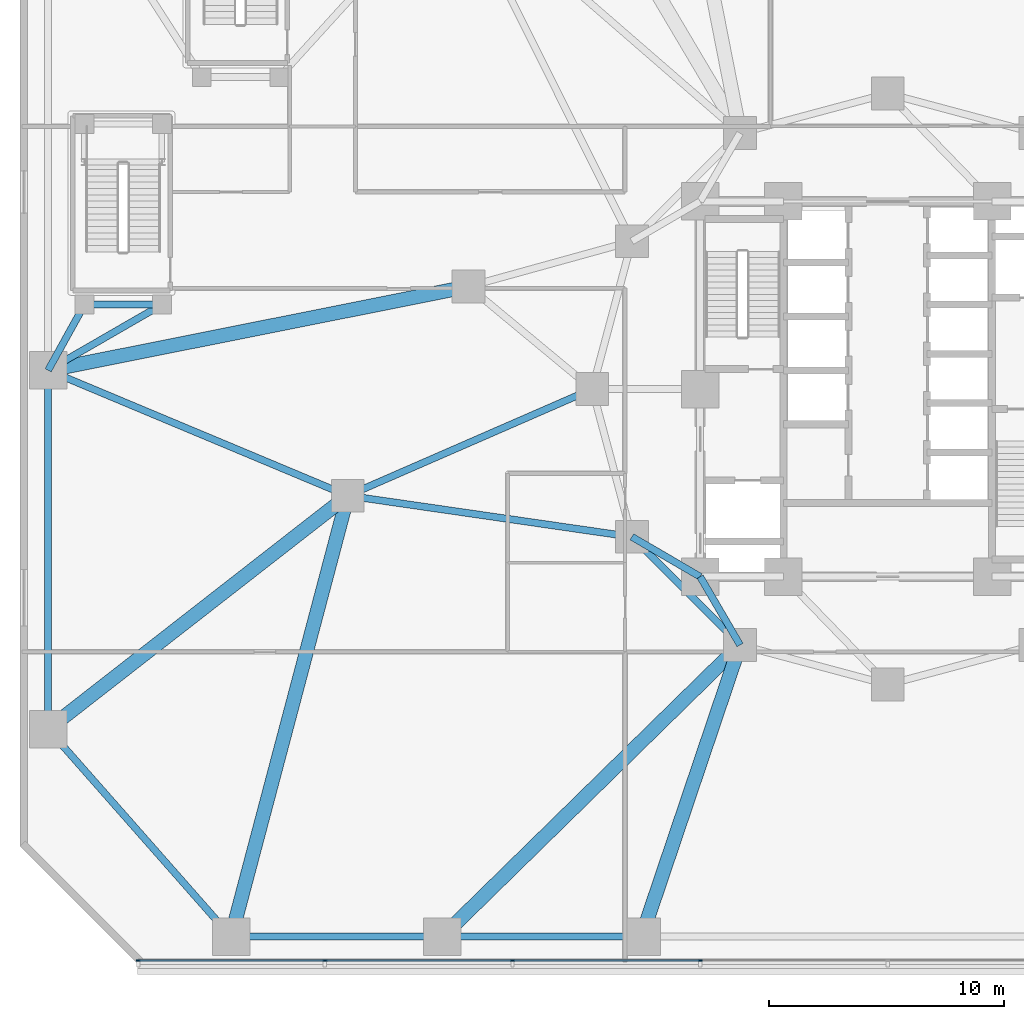
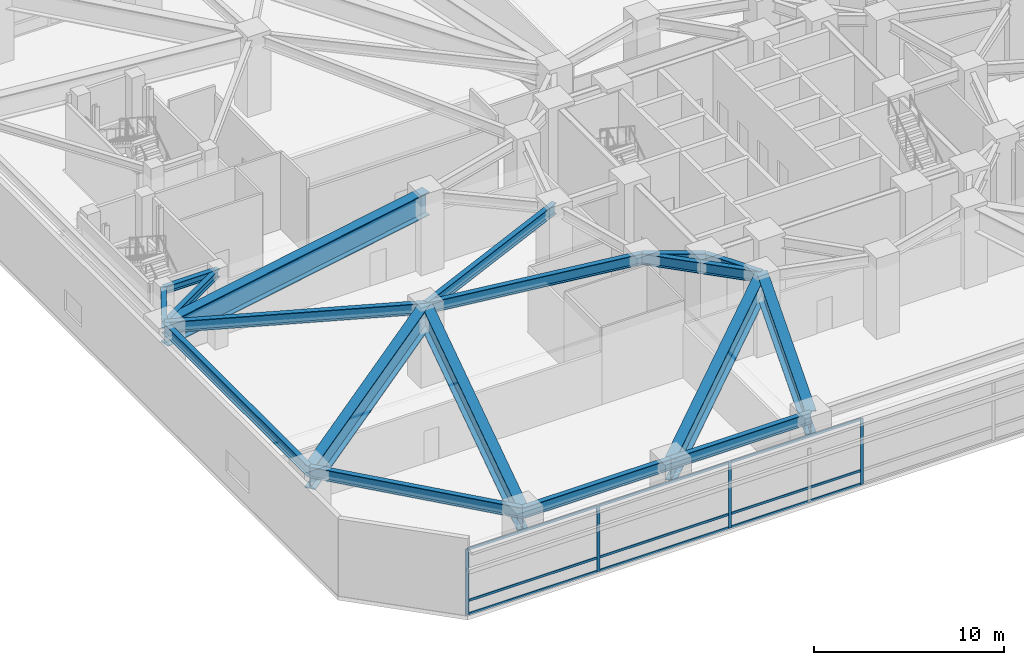
# One storey, part 5 of 27: 18 beams, 13 members, 1 element without a shape of its own.
"""IFC4 building model written with IfcOpenShell, lengths in metres."""

from ifc_helpers import new_model, si_unit, direction, frame, origin, origin_2d, place, context, subcontext, project, spatial, rectangle, i_section, extrude, material, layer, layer_set, material_profile, profile_set, type_object, element, aggregate, save


model = new_model("IFC4")

# Units and contexts
model_context = context("Model", 3, precision=1e-05, world=origin(), true_north=direction((0.0, 1.0)))
body_context = subcontext(model_context, "Body", "Model", "MODEL_VIEW")
ifc_project = project(units=[si_unit("LENGTHUNIT", "METRE"), si_unit("AREAUNIT", "SQUARE_METRE"), si_unit("VOLUMEUNIT", "CUBIC_METRE"), si_unit("PLANEANGLEUNIT", "RADIAN"), si_unit("MASSUNIT", "GRAM", prefix="KILO")], contexts=[model_context])

# Site, building, storey
site_placement = place(None, origin())
site = spatial("IfcSite", under=ifc_project, at=site_placement, CompositionType="ELEMENT")
building_placement = place(site_placement, origin())
building = spatial("IfcBuilding", under=site, at=building_placement, Name="Terralouvre Media Tower", CompositionType="ELEMENT")
storey_placement = place(building_placement, frame((0.0, 0.0, 5.199951171875)))
storey = spatial("IfcBuildingStorey", under=building, at=storey_placement, Name="L01", CompositionType="ELEMENT", Elevation=5.199951171875)

# Curtain wall, members
ifc_material_1 = material(Name="Low-iron laminated double glazing with solar-control coating", Category="glass")
ifc_layer = layer(ifc_material_1, 0.1650390625, Name="Podium Broadcast Gallery Glazing CW-01")
ifc_layer_set = layer_set([ifc_layer], Name="Low-iron laminated double glazing with solar-control coating")
curtain_wall_type = type_object("IfcCurtainWallType", Name="Podium Broadcast Gallery Glazing CW-01", PredefinedType="NOTDEFINED", material=ifc_layer_set)
curtain_wall_placement = place(storey_placement, origin())
curtain_wall = element("IfcCurtainWall", 1, at=curtain_wall_placement, inside=storey, type_object=curtain_wall_type, Name="L01 Podium Curtain Wall F0", PredefinedType="NOTDEFINED")
ifc_material_2 = material(Name="Anodised extruded aluminium 6063-T6", Category="aluminium")
ifc_material_profile_1 = material_profile(ifc_material_2, rectangle(XDim=0.074951171875, YDim=0.14990234375, at=origin_2d()), Name="ALU 75x150")
ifc_profile_set_1 = profile_set([ifc_material_profile_1], Name="Anodised extruded aluminium 6063-T6")
member_type_1 = type_object("IfcMemberType", Name="Curtain-Wall Horizontal Transom TR-150", PredefinedType="USERDEFINED", material=ifc_profile_set_1)
member_1_placement = place(storey_placement, frame((-31.925048828125, -24.360107421875, 0.03759765625), z_axis=(1.0, 0.0, 0.0), x_axis=(0.0, 1.0, 0.0)))
member_1 = element("IfcMember", 2, at=member_1_placement, type_object=member_type_1, Name="CW-01 transom 1.1", ObjectType="TRANSOM", PredefinedType="USERDEFINED", context=body_context, shape_type="SweptSolid", body=[
    extrude(rectangle(XDim=0.074951171875, YDim=0.14990234375, at=origin_2d()), origin(), (0.0, 0.0, 1.0), 7.887451171875),
])
member_2_placement = place(storey_placement, frame((-31.925048828125, -24.360107421875, 0.900146484375), z_axis=(1.0, 0.0, 0.0), x_axis=(0.0, 1.0, 0.0)))
member_2 = element("IfcMember", 3, at=member_2_placement, type_object=member_type_1, Name="CW-01 transom 1.2", ObjectType="TRANSOM", PredefinedType="USERDEFINED", context=body_context, shape_type="SweptSolid", body=[
    extrude(rectangle(XDim=0.074951171875, YDim=0.14990234375, at=origin_2d()), origin(), (0.0, 0.0, 1.0), 7.887451171875),
])
member_3_placement = place(storey_placement, frame((-31.925048828125, -24.360107421875, 4.192626953125), z_axis=(1.0, 0.0, 0.0), x_axis=(0.0, 1.0, 0.0)))
member_3 = element("IfcMember", 4, at=member_3_placement, type_object=member_type_1, Name="CW-01 transom 1.3", ObjectType="TRANSOM", PredefinedType="USERDEFINED", context=body_context, shape_type="SweptSolid", body=[
    extrude(rectangle(XDim=0.074951171875, YDim=0.14990234375, at=origin_2d()), origin(), (0.0, 0.0, 1.0), 7.887451171875),
])
member_4_placement = place(storey_placement, frame((-23.96240234375, -24.360107421875, 0.03759765625), z_axis=(1.0, 0.0, 0.0), x_axis=(0.0, 1.0, 0.0)))
member_4 = element("IfcMember", 5, at=member_4_placement, type_object=member_type_1, Name="CW-01 transom 2.1", ObjectType="TRANSOM", PredefinedType="USERDEFINED", context=body_context, shape_type="SweptSolid", body=[
    extrude(rectangle(XDim=0.074951171875, YDim=0.14990234375, at=origin_2d()), origin(), (0.0, 0.0, 1.0), 7.9248046875),
])
member_5_placement = place(storey_placement, frame((-23.96240234375, -24.360107421875, 0.900146484375), z_axis=(1.0, 0.0, 0.0), x_axis=(0.0, 1.0, 0.0)))
member_5 = element("IfcMember", 6, at=member_5_placement, type_object=member_type_1, Name="CW-01 transom 2.2", ObjectType="TRANSOM", PredefinedType="USERDEFINED", context=body_context, shape_type="SweptSolid", body=[
    extrude(rectangle(XDim=0.074951171875, YDim=0.14990234375, at=origin_2d()), origin(), (0.0, 0.0, 1.0), 7.9248046875),
])
member_6_placement = place(storey_placement, frame((-23.96240234375, -24.360107421875, 4.192626953125), z_axis=(1.0, 0.0, 0.0), x_axis=(0.0, 1.0, 0.0)))
member_6 = element("IfcMember", 7, at=member_6_placement, type_object=member_type_1, Name="CW-01 transom 2.3", ObjectType="TRANSOM", PredefinedType="USERDEFINED", context=body_context, shape_type="SweptSolid", body=[
    extrude(rectangle(XDim=0.074951171875, YDim=0.14990234375, at=origin_2d()), origin(), (0.0, 0.0, 1.0), 7.9248046875),
])
member_7_placement = place(storey_placement, frame((-15.96240234375, -24.360107421875, 0.03759765625), z_axis=(1.0, 0.0, 0.0), x_axis=(0.0, 1.0, 0.0)))
member_7 = element("IfcMember", 8, at=member_7_placement, type_object=member_type_1, Name="CW-01 transom 3.1", ObjectType="TRANSOM", PredefinedType="USERDEFINED", context=body_context, shape_type="SweptSolid", body=[
    extrude(rectangle(XDim=0.074951171875, YDim=0.14990234375, at=origin_2d()), origin(), (0.0, 0.0, 1.0), 7.9248046875),
])
member_8_placement = place(storey_placement, frame((-15.96240234375, -24.360107421875, 0.900146484375), z_axis=(1.0, 0.0, 0.0), x_axis=(0.0, 1.0, 0.0)))
member_8 = element("IfcMember", 9, at=member_8_placement, type_object=member_type_1, Name="CW-01 transom 3.2", ObjectType="TRANSOM", PredefinedType="USERDEFINED", context=body_context, shape_type="SweptSolid", body=[
    extrude(rectangle(XDim=0.074951171875, YDim=0.14990234375, at=origin_2d()), origin(), (0.0, 0.0, 1.0), 7.9248046875),
])
member_9_placement = place(storey_placement, frame((-15.96240234375, -24.360107421875, 4.192626953125), z_axis=(1.0, 0.0, 0.0), x_axis=(0.0, 1.0, 0.0)))
member_9 = element("IfcMember", 10, at=member_9_placement, type_object=member_type_1, Name="CW-01 transom 3.3", ObjectType="TRANSOM", PredefinedType="USERDEFINED", context=body_context, shape_type="SweptSolid", body=[
    extrude(rectangle(XDim=0.074951171875, YDim=0.14990234375, at=origin_2d()), origin(), (0.0, 0.0, 1.0), 7.9248046875),
])
ifc_material_3 = material(Name="Anodised extruded aluminium 6063-T6", Category="aluminium")
ifc_material_profile_2 = material_profile(ifc_material_3, rectangle(XDim=0.074951171875, YDim=0.179931640625, at=origin_2d()), Name="ALU 75x180")
ifc_profile_set_2 = profile_set([ifc_material_profile_2], Name="Anodised extruded aluminium 6063-T6")
member_type_2 = type_object("IfcMemberType", Name="Curtain-Wall Vertical Mullion ML-180", PredefinedType="MULLION", material=ifc_profile_set_2)
member_10_placement = place(storey_placement, frame((-31.96240234375, -24.360107421875, 0.0), z_axis=(0.0, 0.0, 1.0), x_axis=(0.0, 1.0, 0.0)))
member_10 = element("IfcMember", 11, at=member_10_placement, type_object=member_type_2, Name="CW-01 mullion 1", PredefinedType="MULLION", context=body_context, shape_type="SweptSolid", body=[
    extrude(rectangle(XDim=0.074951171875, YDim=0.179931640625, at=origin_2d()), origin(), (0.0, 0.0, 1.0), 4.22998046875),
])
member_11_placement = place(storey_placement, frame((-24.0, -24.360107421875, 0.0), z_axis=(0.0, 0.0, 1.0), x_axis=(0.0, 1.0, 0.0)))
member_11 = element("IfcMember", 12, at=member_11_placement, type_object=member_type_2, Name="CW-01 mullion 2", PredefinedType="MULLION", context=body_context, shape_type="SweptSolid", body=[
    extrude(rectangle(XDim=0.074951171875, YDim=0.179931640625, at=origin_2d()), origin(), (0.0, 0.0, 1.0), 4.22998046875),
])
member_12_placement = place(storey_placement, frame((-16.0, -24.360107421875, 0.0), z_axis=(0.0, 0.0, 1.0), x_axis=(0.0, 1.0, 0.0)))
member_12 = element("IfcMember", 13, at=member_12_placement, type_object=member_type_2, Name="CW-01 mullion 3", PredefinedType="MULLION", context=body_context, shape_type="SweptSolid", body=[
    extrude(rectangle(XDim=0.074951171875, YDim=0.179931640625, at=origin_2d()), origin(), (0.0, 0.0, 1.0), 4.22998046875),
])
member_13_placement = place(storey_placement, frame((-8.0, -24.360107421875, 0.0), z_axis=(0.0, 0.0, 1.0), x_axis=(0.0, 1.0, 0.0)))
member_13 = element("IfcMember", 14, at=member_13_placement, type_object=member_type_2, Name="CW-01 mullion 4", PredefinedType="MULLION", context=body_context, shape_type="SweptSolid", body=[
    extrude(rectangle(XDim=0.074951171875, YDim=0.179931640625, at=origin_2d()), origin(), (0.0, 0.0, 1.0), 4.22998046875),
])
aggregate(curtain_wall, [member_10, member_11, member_12, member_13, member_1, member_2, member_3, member_4, member_5, member_6, member_7, member_8, member_9])

# Beams
ifc_material_4 = material(Name="Structural steel S355J2", Category="steel")
ifc_material_profile_3 = material_profile(ifc_material_4, i_section(OverallWidth=0.300048828125, OverallDepth=0.449951171875, WebThickness=0.013916015625, FlangeThickness=0.02587890625, at=origin_2d()), Name="HEB 450")
ifc_profile_set_3 = profile_set([ifc_material_profile_3], Name="Structural steel S355J2")
beam_type_1 = type_object("IfcBeamType", Name="Primary Floor Girder B-HEB450 (HEB 450)", PredefinedType="BEAM", material=ifc_profile_set_3)
beam_1_placement = place(storey_placement, frame((-34.25, 3.60009765625, 4.72509765625), z_axis=(1.0, 0.0, 0.0), x_axis=(0.0, 1.0, 0.0)))
element("IfcBeam", 15, at=beam_1_placement, inside=storey, type_object=beam_type_1, Name="L01 Framing Beam BM-L01-PVST31", PredefinedType="BEAM", context=body_context, shape_type="SweptSolid", body=[
    extrude(i_section(OverallWidth=0.300048828125, OverallDepth=0.449951171875, WebThickness=0.013916015625, FlangeThickness=0.02587890625, at=origin_2d()), origin(), (0.0, 0.0, 1.0), 3.300048828125),
])
ifc_material_5 = material(Name="Structural steel S355J2", Category="steel")
ifc_material_profile_4 = material_profile(ifc_material_5, i_section(OverallWidth=0.300048828125, OverallDepth=0.5, WebThickness=0.014404296875, FlangeThickness=0.028076171875, at=origin_2d()), Name="HEB 500")
ifc_profile_set_4 = profile_set([ifc_material_profile_4], Name="Structural steel S355J2")
beam_type_2 = type_object("IfcBeamType", Name="Primary Floor Girder B-HEB500 (HEB 500)", PredefinedType="BEAM", material=ifc_profile_set_4)
beam_2_placement = place(storey_placement, frame((-34.25, 3.60009765625, 4.699951171875), z_axis=(-0.484321096397, -0.874890322032, 0.0), x_axis=(0.874890322032, -0.484321096397, 0.0)))
element("IfcBeam", 16, at=beam_2_placement, inside=storey, type_object=beam_type_2, Name="L01 Framing Beam BM-L01-PVTST31", PredefinedType="BEAM", context=body_context, shape_type="SweptSolid", body=[
    extrude(i_section(OverallWidth=0.300048828125, OverallDepth=0.5, WebThickness=0.014404296875, FlangeThickness=0.028076171875, at=origin_2d()), origin(), (0.0, 0.0, 1.0), 3.200439453125),
])
beam_3_placement = place(storey_placement, frame((-30.949951171875, 3.60009765625, 4.699951171875), z_axis=(-0.866037493094, -0.499979060117, 0.0), x_axis=(0.499979060117, -0.866037493094, 0.0)))
element("IfcBeam", 17, at=beam_3_placement, inside=storey, type_object=beam_type_2, Name="L01 Framing Beam BM-L01-PVTST32", PredefinedType="BEAM", context=body_context, shape_type="SweptSolid", body=[
    extrude(i_section(OverallWidth=0.300048828125, OverallDepth=0.5, WebThickness=0.014404296875, FlangeThickness=0.028076171875, at=origin_2d()), origin(), (0.0, 0.0, 1.0), 5.600341796875),
])
ifc_material_6 = material(Name="Structural steel S460M", Category="steel")
ifc_material_profile_5 = material_profile(ifc_material_6, i_section(OverallWidth=0.300048828125, OverallDepth=0.699951171875, WebThickness=0.01708984375, FlangeThickness=0.031982421875, at=origin_2d()), Name="HEB 700")
ifc_profile_set_5 = profile_set([ifc_material_profile_5], Name="Structural steel S460M")
beam_type_3 = type_object("IfcBeamType", Name="Primary Floor Girder B-HEB700 (HEB 700)", PredefinedType="BEAM", material=ifc_profile_set_5)
beam_4_placement = place(storey_placement, frame((-10.911865234375, -6.300048828125, 4.60009765625), z_axis=(0.707106781187, -0.707106781187, 0.0), x_axis=(0.707106781187, 0.707106781187, 0.0)))
element("IfcBeam", 18, at=beam_4_placement, inside=storey, type_object=beam_type_3, Name="L01 Framing Beam BM-L01-MR01", PredefinedType="BEAM", context=body_context, shape_type="SweptSolid", body=[
    extrude(i_section(OverallWidth=0.300048828125, OverallDepth=0.699951171875, WebThickness=0.01708984375, FlangeThickness=0.031982421875, at=origin_2d()), origin(), (0.0, 0.0, 1.0), 6.52197265625),
])
for number, where, z_axis, x_axis, name in (
    (19, (-8.0, -8.0, 4.60009765625), (-0.863602894532, 0.504172629717, 0.0), (-0.504172629717, -0.863602894532, 0.0), "L01 Framing Beam BM-L01-CM01"),
    (20, (-8.0, -8.0, 4.60009765625), (0.504172629717, -0.863602894532, 0.0), (0.863602894532, 0.504172629717, 0.0), "L01 Framing Beam BM-L01-CM02"),
):
    element("IfcBeam", number, at=place(storey_placement, frame(where, z_axis=z_axis, x_axis=x_axis)), inside=storey, type_object=beam_type_3, Name=name, PredefinedType="BEAM", context=body_context, shape_type="SweptSolid", body=[
        extrude(i_section(OverallWidth=0.300048828125, OverallDepth=0.699951171875, WebThickness=0.01708984375, FlangeThickness=0.031982421875, at=origin_2d()), origin(), (0.0, 0.0, 1.0), 3.371826171875),
    ])
beam_5_placement = place(storey_placement, frame((-12.60009765625, 0.0, 4.60009765625), z_axis=(-0.916615903868, -0.399769039291, 0.0), x_axis=(0.399769039291, -0.916615903868, 0.0)))
element("IfcBeam", 21, at=beam_5_placement, inside=storey, type_object=beam_type_3, Name="L01 Framing Beam BM-L01-PM24M1", PredefinedType="BEAM", context=body_context, shape_type="SweptSolid", body=[
    extrude(i_section(OverallWidth=0.300048828125, OverallDepth=0.699951171875, WebThickness=0.01708984375, FlangeThickness=0.031982421875, at=origin_2d()), origin(), (0.0, 0.0, 1.0), 11.373046875),
])
beam_6_placement = place(storey_placement, frame((-10.911865234375, -6.300048828125, 4.60009765625), z_axis=(-0.989684877742, 0.143261448996, 0.0), x_axis=(-0.143261448996, -0.989684877742, 0.0)))
element("IfcBeam", 22, at=beam_6_placement, inside=storey, type_object=beam_type_3, Name="L01 Framing Beam BM-L01-PM24M2", PredefinedType="BEAM", context=body_context, shape_type="SweptSolid", body=[
    extrude(i_section(OverallWidth=0.300048828125, OverallDepth=0.699951171875, WebThickness=0.01708984375, FlangeThickness=0.031982421875, at=origin_2d()), origin(), (0.0, 0.0, 1.0), 12.2392578125),
])
beam_7_placement = place(storey_placement, frame((-23.02490234375, -4.546630859375, 4.60009765625), z_axis=(-0.922468147364, 0.386073201737, 0.0), x_axis=(-0.386073201737, -0.922468147364, 0.0)))
element("IfcBeam", 23, at=beam_7_placement, inside=storey, type_object=beam_type_3, Name="L01 Framing Beam BM-L01-PM24P1", PredefinedType="BEAM", context=body_context, shape_type="SweptSolid", body=[
    extrude(i_section(OverallWidth=0.300048828125, OverallDepth=0.699951171875, WebThickness=0.01708984375, FlangeThickness=0.031982421875, at=origin_2d()), origin(), (0.0, 0.0, 1.0), 13.848876953125),
])
beam_8_placement = place(storey_placement, frame((-35.800048828125, -14.5, 4.60009765625), z_axis=(0.661199207896, -0.75021037548, 0.0), x_axis=(0.75021037548, 0.661199207896, 0.0)))
element("IfcBeam", 24, at=beam_8_placement, inside=storey, type_object=beam_type_3, Name="L01 Framing Beam BM-L01-PR01", PredefinedType="BEAM", context=body_context, shape_type="SweptSolid", body=[
    extrude(i_section(OverallWidth=0.300048828125, OverallDepth=0.699951171875, WebThickness=0.01708984375, FlangeThickness=0.031982421875, at=origin_2d()), origin(), (0.0, 0.0, 1.0), 11.796875),
])
beam_9_placement = place(storey_placement, frame((-28.0, -23.35009765625, 4.60009765625), z_axis=(1.0, 0.0, 0.0), x_axis=(0.0, 1.0, 0.0)))
element("IfcBeam", 25, at=beam_9_placement, inside=storey, type_object=beam_type_3, Name="L01 Framing Beam BM-L01-PR02", PredefinedType="BEAM", context=body_context, shape_type="SweptSolid", body=[
    extrude(i_section(OverallWidth=0.300048828125, OverallDepth=0.699951171875, WebThickness=0.01708984375, FlangeThickness=0.031982421875, at=origin_2d()), origin(), (0.0, 0.0, 1.0), 9.0),
])
beam_10_placement = place(storey_placement, frame((-19.0, -23.35009765625, 4.60009765625), z_axis=(1.0, 0.0, 0.0), x_axis=(0.0, 1.0, 0.0)))
element("IfcBeam", 26, at=beam_10_placement, inside=storey, type_object=beam_type_3, Name="L01 Framing Beam BM-L01-PR03", PredefinedType="BEAM", context=body_context, shape_type="SweptSolid", body=[
    extrude(i_section(OverallWidth=0.300048828125, OverallDepth=0.699951171875, WebThickness=0.01708984375, FlangeThickness=0.031982421875, at=origin_2d()), origin(), (0.0, 0.0, 1.0), 8.5),
])
beam_11_placement = place(storey_placement, frame((-35.800048828125, 0.800048828125, 4.60009765625), z_axis=(0.0, -1.0, 0.0), x_axis=(1.0, 0.0, 0.0)))
element("IfcBeam", 27, at=beam_11_placement, inside=storey, type_object=beam_type_3, Name="L01 Framing Beam BM-L01-PR18", PredefinedType="BEAM", context=body_context, shape_type="SweptSolid", body=[
    extrude(i_section(OverallWidth=0.300048828125, OverallDepth=0.699951171875, WebThickness=0.01708984375, FlangeThickness=0.031982421875, at=origin_2d()), origin(), (0.0, 0.0, 1.0), 15.300048828125),
])
ifc_material_7 = material(Name="Structural steel S460M", Category="steel")
ifc_material_profile_6 = material_profile(ifc_material_7, i_section(OverallWidth=0.60009765625, OverallDepth=1.5, WebThickness=0.033935546875, FlangeThickness=0.054931640625, at=origin_2d()), Name="PG 1500x600")
ifc_profile_set_6 = profile_set([ifc_material_profile_6], Name="Structural steel S460M")
beam_type_4 = type_object("IfcBeamType", Name="Primary Floor Girder B-PG1500 (PG 1500x600)", PredefinedType="BEAM", material=ifc_profile_set_6)
beam_12_placement = place(storey_placement, frame((-23.02490234375, -4.546630859375, 4.199951171875), z_axis=(-0.788838921833, -0.614599996259, 0.0), x_axis=(0.614599996259, -0.788838921833, 0.0)))
element("IfcBeam", 28, at=beam_12_placement, inside=storey, type_object=beam_type_4, Name="L01 Framing Beam BM-L01-RD01", PredefinedType="BEAM", context=body_context, shape_type="SweptSolid", body=[
    extrude(i_section(OverallWidth=0.60009765625, OverallDepth=1.5, WebThickness=0.033935546875, FlangeThickness=0.054931640625, at=origin_2d()), origin(), (0.0, 0.0, 1.0), 16.19482421875),
])
beam_13_placement = place(storey_placement, frame((-23.02490234375, -4.546630859375, 4.199951171875), z_axis=(-0.25578250381, -0.966734353762, 0.0), x_axis=(0.966734353762, -0.25578250381, 0.0)))
element("IfcBeam", 29, at=beam_13_placement, inside=storey, type_object=beam_type_4, Name="L01 Framing Beam BM-L01-RD02", PredefinedType="BEAM", context=body_context, shape_type="SweptSolid", body=[
    extrude(i_section(OverallWidth=0.60009765625, OverallDepth=1.5, WebThickness=0.033935546875, FlangeThickness=0.054931640625, at=origin_2d()), origin(), (0.0, 0.0, 1.0), 19.450439453125),
])
beam_14_placement = place(storey_placement, frame((-6.300048828125, -10.911865234375, 4.199951171875), z_axis=(-0.714429895313, -0.69970702775, 0.0), x_axis=(0.69970702775, -0.714429895313, 0.0)))
element("IfcBeam", 30, at=beam_14_placement, inside=storey, type_object=beam_type_4, Name="L01 Framing Beam BM-L01-RD03", PredefinedType="BEAM", context=body_context, shape_type="SweptSolid", body=[
    extrude(i_section(OverallWidth=0.60009765625, OverallDepth=1.5, WebThickness=0.033935546875, FlangeThickness=0.054931640625, at=origin_2d()), origin(), (0.0, 0.0, 1.0), 17.7763671875),
])
beam_15_placement = place(storey_placement, frame((-6.300048828125, -10.911865234375, 4.199951171875), z_axis=(-0.319918670086, -0.947445008711, 0.0), x_axis=(0.947445008711, -0.319918670086, 0.0)))
element("IfcBeam", 31, at=beam_15_placement, inside=storey, type_object=beam_type_4, Name="L01 Framing Beam BM-L01-RD04", PredefinedType="BEAM", context=body_context, shape_type="SweptSolid", body=[
    extrude(i_section(OverallWidth=0.60009765625, OverallDepth=1.5, WebThickness=0.033935546875, FlangeThickness=0.054931640625, at=origin_2d()), origin(), (0.0, 0.0, 1.0), 13.128173828125),
])
beam_16_placement = place(storey_placement, frame((-17.874755859375, 4.373291015625, 4.199951171875), z_axis=(-0.980704802412, -0.19549447697, 0.0), x_axis=(0.19549447697, -0.980704802412, 0.0)))
element("IfcBeam", 32, at=beam_16_placement, inside=storey, type_object=beam_type_4, Name="L01 Framing Beam BM-L01-RD18", PredefinedType="BEAM", context=body_context, shape_type="SweptSolid", body=[
    extrude(i_section(OverallWidth=0.60009765625, OverallDepth=1.5, WebThickness=0.033935546875, FlangeThickness=0.054931640625, at=origin_2d()), origin(), (0.0, 0.0, 1.0), 18.278076171875),
])

save(model, "model.ifc")
